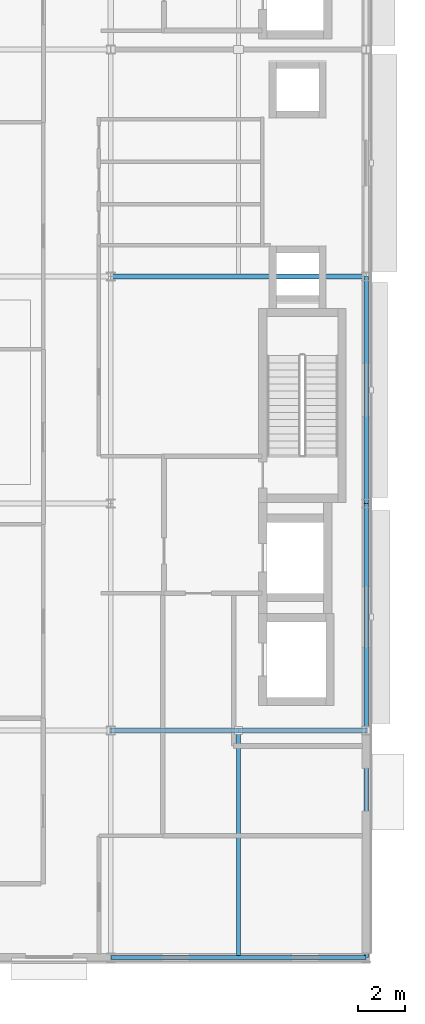
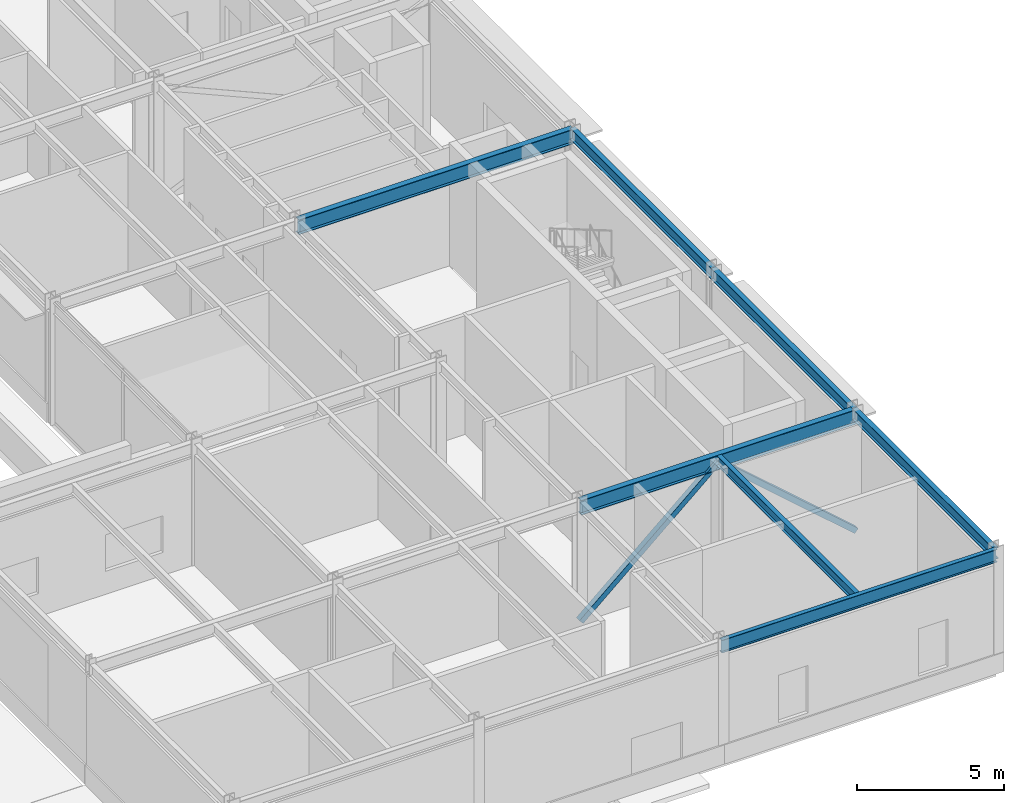
# One storey, part 96 of 168: 7 beams, 2 members.
"""IFC4 building model written with IfcOpenShell, lengths in metres."""

from ifc_helpers import new_model, si_unit, direction, frame, origin, origin_2d, place, context, subcontext, project, spatial, hollow_rectangle, i_section, extrude, material, material_profile, profile_set, type_object, element, save


model = new_model("IFC4")

# Units and contexts
model_context = context("Model", 3, precision=1e-05, world=origin(), true_north=direction((0.0, 1.0)))
body_context = subcontext(model_context, "Body", "Model", "MODEL_VIEW")
ifc_project = project(units=[si_unit("LENGTHUNIT", "METRE"), si_unit("AREAUNIT", "SQUARE_METRE"), si_unit("VOLUMEUNIT", "CUBIC_METRE"), si_unit("PLANEANGLEUNIT", "RADIAN"), si_unit("MASSUNIT", "GRAM", prefix="KILO")], contexts=[model_context])

# Site, building, storey
site_placement = place(None, origin())
site = spatial("IfcSite", under=ifc_project, at=site_placement, CompositionType="ELEMENT")
building_placement = place(site_placement, origin())
building = spatial("IfcBuilding", under=site, at=building_placement, Name="Almandine Court Research Institute", CompositionType="ELEMENT")
storey_placement = place(building_placement, origin())
storey = spatial("IfcBuildingStorey", under=building, at=storey_placement, Name="L00", CompositionType="ELEMENT", Elevation=0.0)

# Beams
ifc_material_1 = material(Name="Steel ASTM A992 Grade 50", Category="steel")
ifc_material_profile_1 = material_profile(ifc_material_1, i_section(OverallWidth=0.178955078125, OverallDepth=0.409912109375, WebThickness=0.009033203125, FlangeThickness=0.013916015625, at=origin_2d()), Name="W410x67")
ifc_profile_set_1 = profile_set([ifc_material_profile_1], Name="Steel ASTM A992 Grade 50")
beam_type_1 = type_object("IfcBeamType", Name="Beam-B-02", PredefinedType="JOIST", material=ifc_profile_set_1)
beam_1_placement = place(storey_placement, frame((168.60009765625, 6.0810546875, 4.864990234375), z_axis=(0.0, 1.0, 0.0), x_axis=(-1.0, 0.0, 0.0)))
element("IfcBeam", 1, at=beam_1_placement, inside=storey, type_object=beam_type_1, Name="L00 V4 Composite Secondary Beam", PredefinedType="JOIST", context=body_context, shape_type="SweptSolid", body=[
    extrude(i_section(OverallWidth=0.178955078125, OverallDepth=0.409912109375, WebThickness=0.009033203125, FlangeThickness=0.013916015625, at=origin_2d()), origin(), (0.0, 0.0, 1.0), 9.406005859375),
])
ifc_material_profile_2 = material_profile(ifc_material_1, i_section(OverallWidth=0.22998046875, OverallDepth=0.616943359375, WebThickness=0.012939453125, FlangeThickness=0.02197265625, at=origin_2d()), Name="W610x140")
ifc_profile_set_2 = profile_set([ifc_material_profile_2], Name="Steel ASTM A992 Grade 50")
beam_type_2 = type_object("IfcBeamType", Name="Beam-G-02", PredefinedType="BEAM", material=ifc_profile_set_2)
for number, where, z_axis, x_axis, name in (
    (2, (163.199951171875, 15.60009765625, 4.760986328125), (1.0, 0.0, 0.0), (0.0, 1.0, 0.0), "L00 V4 Primary X Girder"),
    (3, (163.199951171875, 34.800048828125, 4.760986328125), (1.0, 0.0, 0.0), (0.0, 1.0, 0.0), "L00 V4 Primary X Girder"),
):
    element("IfcBeam", number, at=place(storey_placement, frame(where, z_axis=z_axis, x_axis=x_axis)), inside=storey, type_object=beam_type_2, Name=name, PredefinedType="BEAM", context=body_context, shape_type="SweptSolid", body=[
        extrude(i_section(OverallWidth=0.22998046875, OverallDepth=0.616943359375, WebThickness=0.012939453125, FlangeThickness=0.02197265625, at=origin_2d()), origin(), (0.0, 0.0, 1.0), 10.800048828125),
    ])
ifc_material_profile_3 = material_profile(ifc_material_1, i_section(OverallWidth=0.166015625, OverallDepth=0.534912109375, WebThickness=0.010009765625, FlangeThickness=0.01708984375, at=origin_2d()), Name="W530x85")
ifc_profile_set_3 = profile_set([ifc_material_profile_3], Name="Steel ASTM A992 Grade 50")
beam_type_3 = type_object("IfcBeamType", Name="Beam-G-05-E", PredefinedType="SPANDREL", material=ifc_profile_set_3)
beam_2_placement = place(storey_placement, frame((163.199951171875, 6.0, 4.802978515625), z_axis=(1.0, 0.0, 0.0), x_axis=(0.0, 1.0, 0.0)))
element("IfcBeam", 4, at=beam_2_placement, inside=storey, type_object=beam_type_3, Name="L00 V4 Primary X Girder", PredefinedType="SPANDREL", context=body_context, shape_type="SweptSolid", body=[
    extrude(i_section(OverallWidth=0.166015625, OverallDepth=0.534912109375, WebThickness=0.010009765625, FlangeThickness=0.01708984375, at=origin_2d()), origin(), (0.0, 0.0, 1.0), 10.800048828125),
])
ifc_material_profile_4 = material_profile(ifc_material_1, i_section(OverallWidth=0.193115234375, OverallDepth=0.466064453125, WebThickness=0.010986328125, FlangeThickness=0.01904296875, at=origin_2d()), Name="W460x97")
ifc_profile_set_4 = profile_set([ifc_material_profile_4], Name="Steel ASTM A992 Grade 50")
beam_type_4 = type_object("IfcBeamType", Name="Beam-G-06-E", PredefinedType="SPANDREL", material=ifc_profile_set_4)
beam_3_placement = place(storey_placement, frame((174.0, 6.0, 4.8369140625), z_axis=(0.0, 1.0, 0.0), x_axis=(-1.0, 0.0, 0.0)))
element("IfcBeam", 5, at=beam_3_placement, inside=storey, type_object=beam_type_4, Name="L00 V4 Primary Y Girder", PredefinedType="SPANDREL", context=body_context, shape_type="SweptSolid", body=[
    extrude(i_section(OverallWidth=0.193115234375, OverallDepth=0.466064453125, WebThickness=0.010986328125, FlangeThickness=0.01904296875, at=origin_2d()), origin(), (0.0, 0.0, 1.0), 9.60009765625),
])
beam_4_placement = place(storey_placement, frame((174.0, 15.60009765625, 4.8369140625), z_axis=(0.0, 1.0, 0.0), x_axis=(-1.0, 0.0, 0.0)))
element("IfcBeam", 6, at=beam_4_placement, inside=storey, type_object=beam_type_4, Name="L00 V4 Primary Y Girder", PredefinedType="SPANDREL", context=body_context, shape_type="SweptSolid", body=[
    extrude(i_section(OverallWidth=0.193115234375, OverallDepth=0.466064453125, WebThickness=0.010986328125, FlangeThickness=0.01904296875, at=origin_2d()), origin(), (0.0, 0.0, 1.0), 9.599853515625),
])
beam_5_placement = place(storey_placement, frame((174.0, 25.199951171875, 4.8369140625), z_axis=(0.0, 1.0, 0.0), x_axis=(-1.0, 0.0, 0.0)))
element("IfcBeam", 7, at=beam_5_placement, inside=storey, type_object=beam_type_4, Name="L00 V4 Primary Y Girder", PredefinedType="SPANDREL", context=body_context, shape_type="SweptSolid", body=[
    extrude(i_section(OverallWidth=0.193115234375, OverallDepth=0.466064453125, WebThickness=0.010986328125, FlangeThickness=0.01904296875, at=origin_2d()), origin(), (0.0, 0.0, 1.0), 9.60009765625),
])

# Members
ifc_material_2 = material(Name="Steel ASTM A500 Grade C", Category="steel")
ifc_material_profile_5 = material_profile(ifc_material_2, hollow_rectangle(XDim=0.219970703125, YDim=0.219970703125, WallThickness=0.010009765625, at=origin_2d()), Name="HSS 220x220x10")
ifc_profile_set_5 = profile_set([ifc_material_profile_5], Name="Steel ASTM A500 Grade C")
member_type = type_object("IfcMemberType", Name="Mem-BF-BR1", PredefinedType="BRACE", material=ifc_profile_set_5)
member_1_placement = place(storey_placement, frame((163.199951171875, 15.60009765625, 0.02001953125), z_axis=(0.752241625271, 0.0, 0.658887347891), x_axis=(0.0, 1.0, 0.0)))
element("IfcMember", 8, at=member_1_placement, inside=storey, type_object=member_type, Name="L00 Seismic Chevron Brace V4-BF1 Left", PredefinedType="BRACE", context=body_context, shape_type="SweptSolid", body=[
    extrude(hollow_rectangle(XDim=0.219970703125, YDim=0.219970703125, WallThickness=0.010009765625, at=origin_2d()), origin(), (0.0, 0.0, 1.0), 7.1787109375),
])
member_2_placement = place(storey_placement, frame((174.0, 15.60009765625, 0.02001953125), z_axis=(-0.752226860358, 0.0, 0.658904204385), x_axis=(0.0, -1.0, 0.0)))
element("IfcMember", 9, at=member_2_placement, inside=storey, type_object=member_type, Name="L00 Seismic Chevron Brace V4-BF1 Right", PredefinedType="BRACE", context=body_context, shape_type="SweptSolid", body=[
    extrude(hollow_rectangle(XDim=0.219970703125, YDim=0.219970703125, WallThickness=0.010009765625, at=origin_2d()), origin(), (0.0, 0.0, 1.0), 7.178466796875),
])

save(model, "model.ifc")
